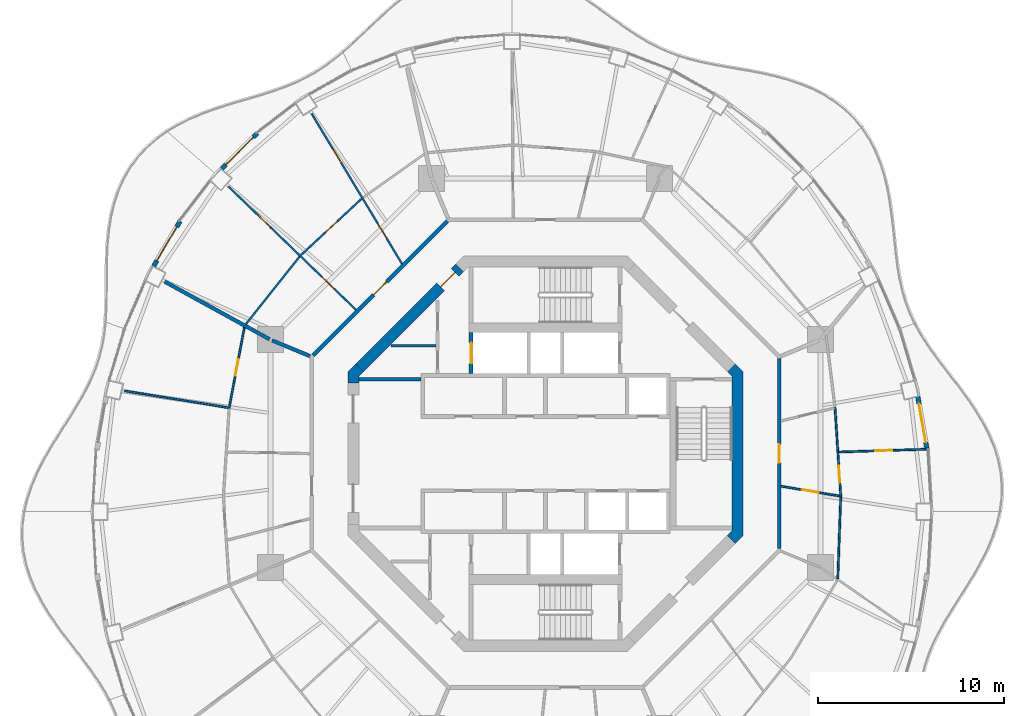
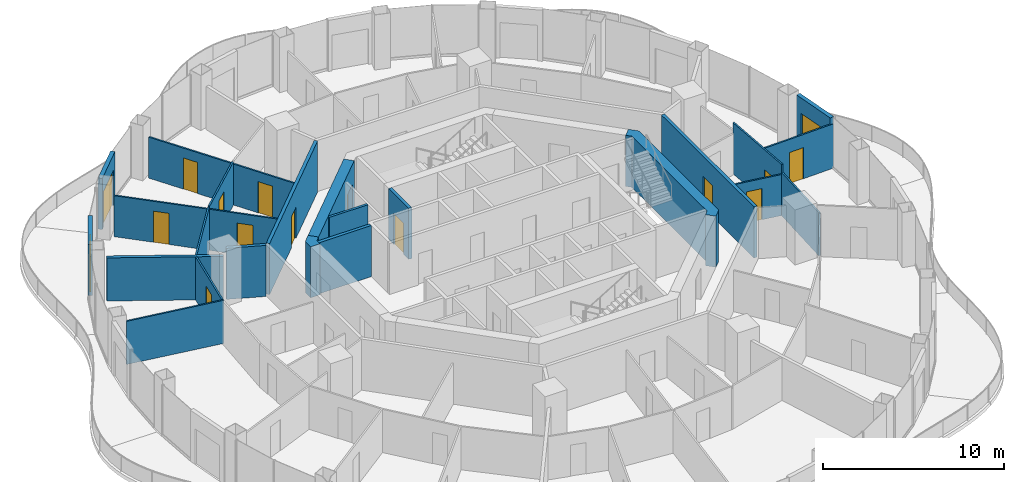
# One storey, part 12 of 17: 23 walls, 16 doors, 16 openings.
"""IFC4 building model written with IfcOpenShell, lengths in metres."""

from ifc_helpers import new_model, si_unit, direction, frame, frame_2d, origin, place, context, subcontext, project, spatial, polyline, rectangle, outline, extrude, material, layer, layer_set, type_object, element, fill, save


model = new_model("IFC4")

# Units and contexts
model_context = context("Model", 3, precision=1e-05, world=origin(), true_north=direction((0.0, 1.0)))
body_context = subcontext(model_context, "Body", "Model", "MODEL_VIEW")
ifc_project = project(units=[si_unit("LENGTHUNIT", "METRE"), si_unit("AREAUNIT", "SQUARE_METRE"), si_unit("VOLUMEUNIT", "CUBIC_METRE"), si_unit("PLANEANGLEUNIT", "RADIAN"), si_unit("MASSUNIT", "GRAM", prefix="KILO")], contexts=[model_context])

# Site, building, storey
site_placement = place(None, origin())
site = spatial("IfcSite", under=ifc_project, at=site_placement, CompositionType="ELEMENT")
building_placement = place(site_placement, origin())
building = spatial("IfcBuilding", under=site, at=building_placement, Name="Nagisa Residences", CompositionType="ELEMENT")
storey_placement = place(building_placement, frame((0.0, 0.0, 277.0)))
storey = spatial("IfcBuildingStorey", under=building, at=storey_placement, Name="L70", CompositionType="ELEMENT", Elevation=277.0)

# Walls
ifc_material_1 = material(Name="Gypsum board on steel studs", Category="steel")
ifc_layer_1 = layer(ifc_material_1, 0.199951171875)
ifc_layer_set_1 = layer_set([ifc_layer_1], Name="Apartment compartment wall EI60 200")
wall_type_1 = type_object("IfcWallType", Name="Apartment compartment wall EI60 200", PredefinedType="PARTITIONING", material=ifc_layer_set_1)
wall_1_placement = place(storey_placement, frame((-12.6572265625, 5.24267578125, 0.0), z_axis=(0.0, 0.0, 1.0), x_axis=(-0.923869415315, 0.382707856524, 0.0)))
element("IfcWall", 1, at=wall_1_placement, inside=storey, type_object=wall_type_1, Name="wall:L70:u04", PredefinedType="PARTITIONING", context=body_context, shape_type="SweptSolid", body=[
    extrude(rectangle(XDim=2.2001953125, YDim=0.199951171875, at=frame_2d((1.10009765625, 0.0))), origin(), (0.0, 0.0, 1.0), 3.43994140625),
])
wall_2_placement = place(storey_placement, frame((-14.825927734375, 6.14697265625, 0.0), z_axis=(0.0, 0.0, 1.0), x_axis=(-0.876484755865, 0.481429613481, 0.0)))
element("IfcWall", 2, at=wall_2_placement, inside=storey, type_object=wall_type_1, Name="wall:L70:u05", PredefinedType="PARTITIONING", context=body_context, shape_type="SweptSolid", body=[
    extrude(rectangle(XDim=6.43896484375, YDim=0.199951171875, at=frame_2d((3.219482421875, 0.0))), origin(), (0.0, 0.0, 1.0), 2.905029296875),
])

# Wall, opening, door
ifc_material_2 = material(Name="Gypsum board on steel studs", Category="steel")
ifc_layer_2 = layer(ifc_material_2, 0.199951171875)
ifc_layer_set_2 = layer_set([ifc_layer_2], Name="Apartment entry wall EI60 200")
wall_type_2 = type_object("IfcWallType", Name="Apartment entry wall EI60 200", PredefinedType="PARTITIONING", material=ifc_layer_set_2)
wall_3_placement = place(storey_placement, frame((12.564697265625, -5.1044921875, 0.0), z_axis=(0.0, 0.0, 1.0), x_axis=(0.0, 1.0, 0.0)))
wall_3 = element("IfcWall", 3, at=wall_3_placement, inside=storey, type_object=wall_type_2, Name="wall:L70:u10", PredefinedType="PARTITIONING", context=body_context, shape_type="SweptSolid", body=[
    extrude(rectangle(XDim=10.208984375, YDim=0.199951171875, at=frame_2d((5.1044921875, 0.0))), origin(), (0.0, 0.0, 1.0), 3.43994140625),
])
opening_1_placement = place(wall_3_placement, frame((4.6044921875, 0.0, 0.0)))
opening_1 = element("IfcOpeningElement", 4, at=opening_1_placement, cuts=wall_3, Name="Opening L70-U31", PredefinedType="OPENING", context=body_context, shape_type="SweptSolid", body=[
    extrude(rectangle(XDim=1.0, YDim=2.10009765625, at=frame_2d((0.5, 1.050048828125))), frame((0.0, 0.10986328125, 0.0), z_axis=(0.0, -1.0, 0.0), x_axis=(1.0, 0.0, 0.0)), (0.0, 0.0, 1.0), 0.219970703125),
])
ifc_material_3 = material(Name="Timber fire door set", Category="wood")
door_type_1 = type_object("IfcDoorType", Name="Apartment entry door FD30S 1000x2100", OperationType="NOTDEFINED", PredefinedType="DOOR", material=ifc_material_3)
door_1_placement = place(opening_1_placement, frame((1.0, 0.0, 0.0), x_axis=(-1.0, 0.0, 0.0)))
door_1 = element("IfcDoor", 5, at=door_1_placement, inside=storey, type_object=door_type_1, Name="Entry door, Apartment 70E", OperationType="SINGLE_SWING_RIGHT", OverallHeight=2.10009765625, OverallWidth=1.0, PredefinedType="DOOR", context=body_context, shape_type="SweptSolid", body=[
    extrude(rectangle(XDim=1.0, YDim=2.10009765625, at=frame_2d((0.5, 1.050048828125))), frame((0.0, 0.02490234375, 0.0), z_axis=(0.0, -1.0, 0.0), x_axis=(1.0, 0.0, 0.0)), (0.0, 0.0, 1.0), 0.050048828125),
])
fill(opening_1, door_1)

wall_4_placement = place(storey_placement, frame((-5.275146484375, 12.494140625, 0.0), z_axis=(0.0, 0.0, 1.0), x_axis=(-0.707106781187, -0.707106781187, 0.0)))
wall_4 = element("IfcWall", 6, at=wall_4_placement, inside=storey, type_object=wall_type_2, Name="wall:L70:u13", PredefinedType="PARTITIONING", context=body_context, shape_type="SweptSolid", body=[
    extrude(rectangle(XDim=10.209228515625, YDim=0.199951171875, at=frame_2d((5.1044921875, 0.0))), origin(), (0.0, 0.0, 1.0), 3.43994140625),
])
opening_2_placement = place(wall_4_placement, frame((4.6044921875, 0.0, 0.0)))
opening_2 = element("IfcOpeningElement", 7, at=opening_2_placement, cuts=wall_4, Name="Opening L70-U09", PredefinedType="OPENING", context=body_context, shape_type="SweptSolid", body=[
    extrude(rectangle(XDim=1.0, YDim=2.10009765625, at=frame_2d((0.5, 1.050048828125))), frame((0.0, 0.10986328125, 0.0), z_axis=(0.0, -1.0, 0.0), x_axis=(1.0, 0.0, 0.0)), (0.0, 0.0, 1.0), 0.219970703125),
])
door_2_placement = place(opening_2_placement, frame((1.0, 0.0, 0.0), x_axis=(-1.0, 0.0, 0.0)))
door_2 = element("IfcDoor", 8, at=door_2_placement, inside=storey, type_object=door_type_1, Name="Entry door, Apartment 70B", OperationType="SINGLE_SWING_RIGHT", OverallHeight=2.10009765625, OverallWidth=1.0, PredefinedType="DOOR", context=body_context, shape_type="SweptSolid", body=[
    extrude(rectangle(XDim=1.0, YDim=2.10009765625, at=frame_2d((0.5, 1.050048828125))), frame((0.0, 0.02490234375, 0.0), z_axis=(0.0, -1.0, 0.0), x_axis=(1.0, 0.0, 0.0)), (0.0, 0.0, 1.0), 0.050048828125),
])
fill(opening_2, door_2)

ifc_material_4 = material(Name="Gypsum board on steel studs", Category="steel")
ifc_layer_3 = layer(ifc_material_4, 0.10009765625)
ifc_layer_set_3 = layer_set([ifc_layer_3], Name="Apartment partition 100")
wall_type_3 = type_object("IfcWallType", Name="Apartment partition 100", PredefinedType="PARTITIONING", material=ifc_layer_set_3)
wall_5_placement = place(storey_placement, frame((12.663330078125, -1.75146484375, 0.0), z_axis=(0.0, 0.0, 1.0), x_axis=(0.98626156497, -0.165191178529, 0.0)))
wall_5 = element("IfcWall", 9, at=wall_5_placement, inside=storey, type_object=wall_type_3, Name="wall:L70:u18", PredefinedType="PARTITIONING", context=body_context, shape_type="SweptSolid", body=[
    extrude(rectangle(XDim=3.1982421875, YDim=0.10009765625, at=frame_2d((1.59912109375, 0.0))), origin(), (0.0, 0.0, 1.0), 2.761962890625),
])
opening_3_placement = place(wall_5_placement, frame((1.149169921875, 0.0, 0.0)))
opening_3 = element("IfcOpeningElement", 10, at=opening_3_placement, cuts=wall_5, Name="Opening L70-U32", PredefinedType="OPENING", context=body_context, shape_type="SweptSolid", body=[
    extrude(rectangle(XDim=0.89990234375, YDim=2.10009765625, at=frame_2d((0.449951171875, 1.050048828125))), frame((0.0, 0.06005859375, 0.0), z_axis=(0.0, -1.0, 0.0), x_axis=(1.0, 0.0, 0.0)), (0.0, 0.0, 1.0), 0.1201171875),
])
ifc_material_5 = material(Name="Timber door set", Category="wood")
door_type_2 = type_object("IfcDoorType", Name="Apartment door 900x2100", OperationType="NOTDEFINED", PredefinedType="DOOR", material=ifc_material_5)
door_3_placement = place(opening_3_placement, frame((0.89990234375, 0.0, 0.0), x_axis=(-1.0, 0.0, 0.0)))
door_3 = element("IfcDoor", 11, at=door_3_placement, inside=storey, type_object=door_type_2, Name="Door to family bathroom, Apartment 70E", OperationType="SINGLE_SWING_LEFT", OverallHeight=2.10009765625, OverallWidth=0.89990234375, PredefinedType="DOOR", context=body_context, shape_type="SweptSolid", body=[
    extrude(rectangle(XDim=0.89990234375, YDim=2.10009765625, at=frame_2d((0.449951171875, 1.050048828125))), frame((0.0, 0.02490234375, 0.0), z_axis=(0.0, -1.0, 0.0), x_axis=(1.0, 0.0, 0.0)), (0.0, 0.0, 1.0), 0.050048828125),
])
fill(opening_3, door_3)

wall_6_placement = place(storey_placement, frame((15.8701171875, -2.337890625, 0.0), z_axis=(0.0, 0.0, 1.0), x_axis=(-0.064797294757, 0.997898447034, 0.0)))
wall_6 = element("IfcWall", 12, at=wall_6_placement, inside=storey, type_object=wall_type_3, Name="wall:L70:u19", PredefinedType="PARTITIONING", context=body_context, shape_type="SweptSolid", body=[
    extrude(rectangle(XDim=4.856689453125, YDim=0.10009765625, at=frame_2d((2.42822265625, 0.0))), origin(), (0.0, 0.0, 1.0), 3.43994140625),
])
opening_4_placement = place(wall_6_placement, frame((0.789306640625, 0.0, 0.0)))
opening_4 = element("IfcOpeningElement", 13, at=opening_4_placement, cuts=wall_6, Name="Opening L70-U34", PredefinedType="OPENING", context=body_context, shape_type="SweptSolid", body=[
    extrude(rectangle(XDim=0.89990234375, YDim=2.10009765625, at=frame_2d((0.449951171875, 1.050048828125))), frame((0.0, 0.06005859375, 0.0), z_axis=(0.0, -1.0, 0.0), x_axis=(1.0, 0.0, 0.0)), (0.0, 0.0, 1.0), 0.1201171875),
])
door_4_placement = place(opening_4_placement, frame((0.89990234375, 0.0, 0.0), x_axis=(-1.0, 0.0, 0.0)))
door_4 = element("IfcDoor", 14, at=door_4_placement, inside=storey, type_object=door_type_2, Name="Door to kitchen, Apartment 70E", OperationType="SINGLE_SWING_LEFT", OverallHeight=2.10009765625, OverallWidth=0.89990234375, PredefinedType="DOOR", context=body_context, shape_type="SweptSolid", body=[
    extrude(rectangle(XDim=0.89990234375, YDim=2.10009765625, at=frame_2d((0.449951171875, 1.050048828125))), frame((0.0, 0.02490234375, 0.0), z_axis=(0.0, -1.0, 0.0), x_axis=(1.0, 0.0, 0.0)), (0.0, 0.0, 1.0), 0.050048828125),
])
fill(opening_4, door_4)

# Wall
wall_7_placement = place(storey_placement, frame((15.864990234375, -2.337890625, 0.0), z_axis=(0.0, 0.0, 1.0), x_axis=(-0.035902310383, -0.999355304238, 0.0)))
element("IfcWall", 15, at=wall_7_placement, inside=storey, type_object=wall_type_3, Name="wall:L70:u20", PredefinedType="PARTITIONING", context=body_context, shape_type="SweptSolid", body=[
    extrude(rectangle(XDim=4.37939453125, YDim=0.10009765625, at=frame_2d((2.189697265625, 0.0))), origin(), (0.0, 0.0, 1.0), 2.905029296875),
])

# Wall, opening, door
wall_8_placement = place(storey_placement, frame((15.7626953125, 0.0869140625, 0.0), z_axis=(0.0, 0.0, 1.0), x_axis=(0.999492034598, 0.03186962151, 0.0)))
wall_8 = element("IfcWall", 16, at=wall_8_placement, inside=storey, type_object=wall_type_3, Name="wall:L70:u21", PredefinedType="PARTITIONING", context=body_context, shape_type="SweptSolid", body=[
    extrude(rectangle(XDim=4.826171875, YDim=0.10009765625, at=frame_2d((2.4130859375, 0.0))), origin(), (0.0, 0.0, 1.0), 2.98291015625),
])
opening_5_placement = place(wall_8_placement, frame((1.963134765625, 0.0, 0.0)))
opening_5 = element("IfcOpeningElement", 17, at=opening_5_placement, cuts=wall_8, Name="Opening L70-U35", PredefinedType="OPENING", context=body_context, shape_type="SweptSolid", body=[
    extrude(rectangle(XDim=0.89990234375, YDim=2.10009765625, at=frame_2d((0.449951171875, 1.050048828125))), frame((0.0, 0.06005859375, 0.0), z_axis=(0.0, -1.0, 0.0), x_axis=(1.0, 0.0, 0.0)), (0.0, 0.0, 1.0), 0.1201171875),
])
door_5_placement = place(opening_5_placement, origin())
door_5 = element("IfcDoor", 18, at=door_5_placement, inside=storey, type_object=door_type_2, Name="Door to bedroom, Apartment 70E", OperationType="SINGLE_SWING_LEFT", OverallHeight=2.10009765625, OverallWidth=0.89990234375, PredefinedType="DOOR", context=body_context, shape_type="SweptSolid", body=[
    extrude(rectangle(XDim=0.89990234375, YDim=2.10009765625, at=frame_2d((0.449951171875, 1.050048828125))), frame((0.0, 0.02490234375, 0.0), z_axis=(0.0, -1.0, 0.0), x_axis=(1.0, 0.0, 0.0)), (0.0, 0.0, 1.0), 0.050048828125),
])
fill(opening_5, door_5)

# Wall, openings, doors
wall_9_placement = place(storey_placement, frame((-7.70947265625, 10.197021484375, 0.0), z_axis=(0.0, 0.0, 1.0), x_axis=(-0.515516160663, 0.856879856278, 0.0)))
wall_9 = element("IfcWall", 19, at=wall_9_placement, inside=storey, type_object=wall_type_3, Name="wall:L70:u35", PredefinedType="PARTITIONING", context=body_context, shape_type="SweptSolid", body=[
    extrude(rectangle(XDim=9.42626953125, YDim=0.10009765625, at=frame_2d((4.713134765625, 0.0))), origin(), (0.0, 0.0, 1.0), 2.761962890625),
])
opening_6_placement = place(wall_9_placement, frame((1.615234375, 0.0, 0.0)))
opening_6 = element("IfcOpeningElement", 20, at=opening_6_placement, cuts=wall_9, Name="Opening L70-U10", PredefinedType="OPENING", context=body_context, shape_type="SweptSolid", body=[
    extrude(rectangle(XDim=0.89990234375, YDim=2.10009765625, at=frame_2d((0.449951171875, 1.050048828125))), frame((0.0, 0.06005859375, 0.0), z_axis=(0.0, -1.0, 0.0), x_axis=(1.0, 0.0, 0.0)), (0.0, 0.0, 1.0), 0.1201171875),
])
opening_7_placement = place(wall_9_placement, frame((6.328369140625, 0.0, 0.0)))
opening_7 = element("IfcOpeningElement", 21, at=opening_7_placement, cuts=wall_9, Name="Opening L70-U14", PredefinedType="OPENING", context=body_context, shape_type="SweptSolid", body=[
    extrude(rectangle(XDim=0.89990234375, YDim=2.10009765625, at=frame_2d((0.449951171875, 1.050048828125))), frame((0.0, 0.06005859375, 0.0), z_axis=(0.0, -1.0, 0.0), x_axis=(1.0, 0.0, 0.0)), (0.0, 0.0, 1.0), 0.1201171875),
])
door_6_placement = place(opening_6_placement, frame((0.89990234375, 0.0, 0.0), x_axis=(-1.0, 0.0, 0.0)))
door_6 = element("IfcDoor", 22, at=door_6_placement, inside=storey, type_object=door_type_2, Name="Door to family bathroom, Apartment 70B", OperationType="SINGLE_SWING_LEFT", OverallHeight=2.10009765625, OverallWidth=0.89990234375, PredefinedType="DOOR", context=body_context, shape_type="SweptSolid", body=[
    extrude(rectangle(XDim=0.89990234375, YDim=2.10009765625, at=frame_2d((0.449951171875, 1.050048828125))), frame((0.0, 0.02490234375, 0.0), z_axis=(0.0, -1.0, 0.0), x_axis=(1.0, 0.0, 0.0)), (0.0, 0.0, 1.0), 0.050048828125),
])
fill(opening_6, door_6)
door_7_placement = place(opening_7_placement, frame((0.89990234375, 0.0, 0.0), x_axis=(-1.0, 0.0, 0.0)))
door_7 = element("IfcDoor", 23, at=door_7_placement, inside=storey, type_object=door_type_2, Name="Door to kitchen, Apartment 70B", OperationType="SINGLE_SWING_LEFT", OverallHeight=2.10009765625, OverallWidth=0.89990234375, PredefinedType="DOOR", context=body_context, shape_type="SweptSolid", body=[
    extrude(rectangle(XDim=0.89990234375, YDim=2.10009765625, at=frame_2d((0.449951171875, 1.050048828125))), frame((0.0, 0.02490234375, 0.0), z_axis=(0.0, -1.0, 0.0), x_axis=(1.0, 0.0, 0.0)), (0.0, 0.0, 1.0), 0.050048828125),
])
fill(opening_7, door_7)

# Wall, opening, door
wall_10_placement = place(storey_placement, frame((-9.87548828125, 13.702392578125, 0.0), z_axis=(0.0, 0.0, 1.0), x_axis=(-0.732618266441, -0.680639754699, 0.0)))
wall_10 = element("IfcWall", 24, at=wall_10_placement, inside=storey, type_object=wall_type_3, Name="wall:L70:u36", PredefinedType="PARTITIONING", context=body_context, shape_type="SweptSolid", body=[
    extrude(rectangle(XDim=4.466796875, YDim=0.10009765625, at=frame_2d((2.2333984375, 0.0))), origin(), (0.0, 0.0, 1.0), 2.905029296875),
])
opening_8_placement = place(wall_10_placement, frame((1.783447265625, 0.0, 0.0)))
opening_8 = element("IfcOpeningElement", 25, at=opening_8_placement, cuts=wall_10, Name="Opening L70-U12", PredefinedType="OPENING", context=body_context, shape_type="SweptSolid", body=[
    extrude(rectangle(XDim=0.89990234375, YDim=2.10009765625, at=frame_2d((0.449951171875, 1.050048828125))), frame((0.0, 0.06005859375, 0.0), z_axis=(0.0, -1.0, 0.0), x_axis=(1.0, 0.0, 0.0)), (0.0, 0.0, 1.0), 0.1201171875),
])
door_8_placement = place(opening_8_placement, frame((0.89990234375, 0.0, 0.0), x_axis=(-1.0, 0.0, 0.0)))
door_8 = element("IfcDoor", 26, at=door_8_placement, inside=storey, type_object=door_type_2, Name="Door to dining room, Apartment 70B", OperationType="SINGLE_SWING_LEFT", OverallHeight=2.10009765625, OverallWidth=0.89990234375, PredefinedType="DOOR", context=body_context, shape_type="SweptSolid", body=[
    extrude(rectangle(XDim=0.89990234375, YDim=2.10009765625, at=frame_2d((0.449951171875, 1.050048828125))), frame((0.0, 0.02490234375, 0.0), z_axis=(0.0, -1.0, 0.0), x_axis=(1.0, 0.0, 0.0)), (0.0, 0.0, 1.0), 0.050048828125),
])
fill(opening_8, door_8)

# Wall, openings, doors
wall_11_placement = place(storey_placement, frame((-10.183349609375, 7.727294921875, 0.0), z_axis=(0.0, 0.0, 1.0), x_axis=(-0.719063433856, 0.694944442449, 0.0)))
wall_11 = element("IfcWall", 27, at=wall_11_placement, inside=storey, type_object=wall_type_3, Name="wall:L70:u37", PredefinedType="PARTITIONING", context=body_context, shape_type="SweptSolid", body=[
    extrude(rectangle(XDim=9.53515625, YDim=0.10009765625, at=frame_2d((4.767578125, 0.0))), origin(), (0.0, 0.0, 1.0), 2.761962890625),
])
opening_9_placement = place(wall_11_placement, frame((1.636962890625, 0.0, 0.0)))
opening_9 = element("IfcOpeningElement", 28, at=opening_9_placement, cuts=wall_11, Name="Opening L70-U11", PredefinedType="OPENING", context=body_context, shape_type="SweptSolid", body=[
    extrude(rectangle(XDim=0.89990234375, YDim=2.10009765625, at=frame_2d((0.449951171875, 1.050048828125))), frame((0.0, 0.06005859375, 0.0), z_axis=(0.0, -1.0, 0.0), x_axis=(1.0, 0.0, 0.0)), (0.0, 0.0, 1.0), 0.1201171875),
])
opening_10_placement = place(wall_11_placement, frame((6.404541015625, 0.0, 0.0)))
opening_10 = element("IfcOpeningElement", 29, at=opening_10_placement, cuts=wall_11, Name="Opening L70-U13", PredefinedType="OPENING", context=body_context, shape_type="SweptSolid", body=[
    extrude(rectangle(XDim=0.89990234375, YDim=2.10009765625, at=frame_2d((0.449951171875, 1.050048828125))), frame((0.0, 0.06005859375, 0.0), z_axis=(0.0, -1.0, 0.0), x_axis=(1.0, 0.0, 0.0)), (0.0, 0.0, 1.0), 0.1201171875),
])
door_9_placement = place(opening_9_placement, origin())
door_9 = element("IfcDoor", 30, at=door_9_placement, inside=storey, type_object=door_type_2, Name="Door to store, Apartment 70B", OperationType="SINGLE_SWING_LEFT", OverallHeight=2.10009765625, OverallWidth=0.89990234375, PredefinedType="DOOR", context=body_context, shape_type="SweptSolid", body=[
    extrude(rectangle(XDim=0.89990234375, YDim=2.10009765625, at=frame_2d((0.449951171875, 1.050048828125))), frame((0.0, 0.02490234375, 0.0), z_axis=(0.0, -1.0, 0.0), x_axis=(1.0, 0.0, 0.0)), (0.0, 0.0, 1.0), 0.050048828125),
])
fill(opening_9, door_9)
door_10_placement = place(opening_10_placement, origin())
door_10 = element("IfcDoor", 31, at=door_10_placement, inside=storey, type_object=door_type_2, Name="Door to bedroom, Apartment 70B", OperationType="SINGLE_SWING_LEFT", OverallHeight=2.10009765625, OverallWidth=0.89990234375, PredefinedType="DOOR", context=body_context, shape_type="SweptSolid", body=[
    extrude(rectangle(XDim=0.89990234375, YDim=2.10009765625, at=frame_2d((0.449951171875, 1.050048828125))), frame((0.0, 0.02490234375, 0.0), z_axis=(0.0, -1.0, 0.0), x_axis=(1.0, 0.0, 0.0)), (0.0, 0.0, 1.0), 0.050048828125),
])
fill(opening_10, door_10)

# Wall
wall_12_placement = place(storey_placement, frame((-13.2158203125, 10.5888671875, 0.0), z_axis=(0.0, 0.0, 1.0), x_axis=(-0.622251572882, -0.782817335045, 0.0)))
element("IfcWall", 32, at=wall_12_placement, inside=storey, type_object=wall_type_3, Name="wall:L70:u38", PredefinedType="PARTITIONING", context=body_context, shape_type="SweptSolid", body=[
    extrude(rectangle(XDim=4.635986328125, YDim=0.10009765625, at=frame_2d((2.31787109375, 0.0))), origin(), (0.0, 0.0, 1.0), 2.905029296875),
])

# Wall, opening, door
wall_13_placement = place(storey_placement, frame((-16.181396484375, 6.783203125, 0.0), z_axis=(0.0, 0.0, 1.0), x_axis=(-0.185670583745, -0.982612046706, 0.0)))
wall_13 = element("IfcWall", 33, at=wall_13_placement, inside=storey, type_object=wall_type_3, Name="wall:L70:u39", PredefinedType="PARTITIONING", context=body_context, shape_type="SweptSolid", body=[
    extrude(rectangle(XDim=4.35107421875, YDim=0.10009765625, at=frame_2d((2.175537109375, 0.0))), origin(), (0.0, 0.0, 1.0), 2.905029296875),
])
opening_11_placement = place(wall_13_placement, frame((1.7255859375, 0.0, 0.0)))
opening_11 = element("IfcOpeningElement", 34, at=opening_11_placement, cuts=wall_13, Name="Opening L70-U18", PredefinedType="OPENING", context=body_context, shape_type="SweptSolid", body=[
    extrude(rectangle(XDim=0.89990234375, YDim=2.10009765625, at=frame_2d((0.449951171875, 1.050048828125))), frame((0.0, 0.06005859375, 0.0), z_axis=(0.0, -1.0, 0.0), x_axis=(1.0, 0.0, 0.0)), (0.0, 0.0, 1.0), 0.1201171875),
])
door_11_placement = place(opening_11_placement, frame((0.89990234375, 0.0, 0.0), x_axis=(-1.0, 0.0, 0.0)))
door_11 = element("IfcDoor", 35, at=door_11_placement, inside=storey, type_object=door_type_2, Name="Door to bedroom, Apartment 70C", OperationType="SINGLE_SWING_LEFT", OverallHeight=2.10009765625, OverallWidth=0.89990234375, PredefinedType="DOOR", context=body_context, shape_type="SweptSolid", body=[
    extrude(rectangle(XDim=0.89990234375, YDim=2.10009765625, at=frame_2d((0.449951171875, 1.050048828125))), frame((0.0, 0.02490234375, 0.0), z_axis=(0.0, -1.0, 0.0), x_axis=(1.0, 0.0, 0.0)), (0.0, 0.0, 1.0), 0.050048828125),
])
fill(opening_11, door_11)

# Wall
wall_14_placement = place(storey_placement, frame((-16.94921875, 2.45068359375, 0.0), z_axis=(0.0, 0.0, 1.0), x_axis=(-0.986937570833, 0.161103169673, 0.0)))
element("IfcWall", 36, at=wall_14_placement, inside=storey, type_object=wall_type_3, Name="wall:L70:u40", PredefinedType="PARTITIONING", context=body_context, shape_type="SweptSolid", body=[
    extrude(rectangle(XDim=5.743408203125, YDim=0.10009765625, at=frame_2d((2.87158203125, 0.0))), origin(), (0.0, 0.0, 1.0), 2.905029296875),
])

# Wall, opening, door
ifc_material_6 = material(Name="Precast concrete C40/50", Category="concrete")
ifc_layer_4 = layer(ifc_material_6, 0.25)
ifc_layer_set_4 = layer_set([ifc_layer_4], Name="BALCONY DOOR WALL 250")
wall_type_4 = type_object("IfcWallType", Name="BALCONY DOOR WALL 250", PredefinedType="SOLIDWALL", material=ifc_layer_set_4)
wall_15_placement = place(storey_placement, frame((20.003662109375, 3.07958984375, 0.0), z_axis=(0.0, 0.0, 1.0), x_axis=(0.172182411767, -0.985065082661, 0.0)))
wall_15 = element("IfcWall", 37, at=wall_15_placement, inside=storey, type_object=wall_type_4, Name="wall:L70:bay01", PredefinedType="SOLIDWALL", context=body_context, shape_type="SweptSolid", body=[
    extrude(rectangle(XDim=2.902587890625, YDim=0.25, at=frame_2d((1.451171875, 0.0))), origin(), (0.0, 0.0, 1.0), 3.43994140625),
])
opening_12_placement = place(wall_15_placement, frame((0.401123046875, 0.0, 0.0)))
opening_12 = element("IfcOpeningElement", 38, at=opening_12_placement, cuts=wall_15, Name="Opening BD-L70-01", PredefinedType="OPENING", context=body_context, shape_type="SweptSolid", body=[
    extrude(rectangle(XDim=2.10009765625, YDim=2.39990234375, at=frame_2d((1.050048828125, 1.199951171875))), frame((0.0, 0.135009765625, 0.0), z_axis=(0.0, -1.0, 0.0), x_axis=(1.0, 0.0, 0.0)), (0.0, 0.0, 1.0), 0.27001953125),
])
ifc_material_7 = material(Name="Aluminium and clear glass", Category="aluminium")
door_type_3 = type_object("IfcDoorType", Name="BALCONY SLIDING DOOR 2100x2400", OperationType="SLIDING_TO_LEFT", PredefinedType="DOOR", material=ifc_material_7)
door_12_placement = place(opening_12_placement, origin())
door_12 = element("IfcDoor", 39, at=door_12_placement, inside=storey, type_object=door_type_3, Name="door:L70:bay01", OperationType="SLIDING_TO_LEFT", OverallHeight=2.39990234375, OverallWidth=2.10009765625, PredefinedType="DOOR", context=body_context, shape_type="SweptSolid", body=[
    extrude(rectangle(XDim=2.10009765625, YDim=2.39990234375, at=frame_2d((1.050048828125, 1.199951171875))), frame((0.0, 0.02490234375, 0.0), z_axis=(0.0, -1.0, 0.0), x_axis=(1.0, 0.0, 0.0)), (0.0, 0.0, 1.0), 0.050048828125),
])
fill(opening_12, door_12)

wall_16_placement = place(storey_placement, frame((-17.387939453125, 15.312744140625, 0.0), z_axis=(0.0, 0.0, 1.0), x_axis=(0.707831739508, 0.706381078841, 0.0)))
wall_16 = element("IfcWall", 40, at=wall_16_placement, inside=storey, type_object=wall_type_4, Name="wall:L70:bay17", PredefinedType="SOLIDWALL", context=body_context, shape_type="SweptSolid", body=[
    extrude(rectangle(XDim=2.692626953125, YDim=0.25, at=frame_2d((1.34619140625, 0.0))), origin(), (0.0, 0.0, 1.0), 3.43994140625),
])
opening_13_placement = place(wall_16_placement, frame((0.29638671875, 0.0, 0.0)))
opening_13 = element("IfcOpeningElement", 41, at=opening_13_placement, cuts=wall_16, Name="Opening BD-L70-06", PredefinedType="OPENING", context=body_context, shape_type="SweptSolid", body=[
    extrude(rectangle(XDim=2.10009765625, YDim=2.39990234375, at=frame_2d((1.050048828125, 1.199951171875))), frame((0.0, 0.135009765625, 0.0), z_axis=(0.0, -1.0, 0.0), x_axis=(1.0, 0.0, 0.0)), (0.0, 0.0, 1.0), 0.27001953125),
])
door_13_placement = place(opening_13_placement, origin())
door_13 = element("IfcDoor", 42, at=door_13_placement, inside=storey, type_object=door_type_3, Name="door:L70:bay17", OperationType="SLIDING_TO_LEFT", OverallHeight=2.39990234375, OverallWidth=2.10009765625, PredefinedType="DOOR", context=body_context, shape_type="SweptSolid", body=[
    extrude(rectangle(XDim=2.10009765625, YDim=2.39990234375, at=frame_2d((1.050048828125, 1.199951171875))), frame((0.0, 0.02490234375, 0.0), z_axis=(0.0, -1.0, 0.0), x_axis=(1.0, 0.0, 0.0)), (0.0, 0.0, 1.0), 0.050048828125),
])
fill(opening_13, door_13)

wall_17_placement = place(storey_placement, frame((-21.053955078125, 10.0771484375, 0.0), z_axis=(0.0, 0.0, 1.0), x_axis=(0.506371364425, 0.862315511452, 0.0)))
wall_17 = element("IfcWall", 43, at=wall_17_placement, inside=storey, type_object=wall_type_4, Name="wall:L70:bay19", PredefinedType="SOLIDWALL", context=body_context, shape_type="SweptSolid", body=[
    extrude(rectangle(XDim=2.79638671875, YDim=0.25, at=frame_2d((1.398193359375, 0.0))), origin(), (0.0, 0.0, 1.0), 3.43994140625),
])
opening_14_placement = place(wall_17_placement, frame((0.34814453125, 0.0, 0.0)))
opening_14 = element("IfcOpeningElement", 44, at=opening_14_placement, cuts=wall_17, Name="Opening BD-L70-07", PredefinedType="OPENING", context=body_context, shape_type="SweptSolid", body=[
    extrude(rectangle(XDim=2.10009765625, YDim=2.39990234375, at=frame_2d((1.050048828125, 1.199951171875))), frame((0.0, 0.135009765625, 0.0), z_axis=(0.0, -1.0, 0.0), x_axis=(1.0, 0.0, 0.0)), (0.0, 0.0, 1.0), 0.27001953125),
])
door_14_placement = place(opening_14_placement, origin())
door_14 = element("IfcDoor", 45, at=door_14_placement, inside=storey, type_object=door_type_3, Name="door:L70:bay19", OperationType="SLIDING_TO_LEFT", OverallHeight=2.39990234375, OverallWidth=2.10009765625, PredefinedType="DOOR", context=body_context, shape_type="SweptSolid", body=[
    extrude(rectangle(XDim=2.10009765625, YDim=2.39990234375, at=frame_2d((1.050048828125, 1.199951171875))), frame((0.0, 0.02490234375, 0.0), z_axis=(0.0, -1.0, 0.0), x_axis=(1.0, 0.0, 0.0)), (0.0, 0.0, 1.0), 0.050048828125),
])
fill(opening_14, door_14)

# Walls
ifc_material_8 = material(Name="Gypsum board on steel studs", Category="steel")
ifc_layer_5 = layer(ifc_material_8, 0.14990234375)
ifc_layer_set_5 = layer_set([ifc_layer_5], Name="Core partition 150")
wall_type_5 = type_object("IfcWallType", Name="Core partition 150", PredefinedType="PARTITIONING", material=ifc_layer_set_5)
wall_18_placement = place(storey_placement, frame((-8.301025390625, 5.800048828125, 0.0), z_axis=(0.0, 0.0, 1.0), x_axis=(1.0, 0.0, 0.0)))
element("IfcWall", 46, at=wall_18_placement, inside=storey, type_object=wall_type_5, Name="wall:L70:NWq", PredefinedType="PARTITIONING", context=body_context, shape_type="SweptSolid", body=[
    extrude(rectangle(XDim=2.426025390625, YDim=0.14990234375, at=frame_2d((1.212890625, 0.0))), origin(), (0.0, 0.0, 1.0), 3.43994140625),
])
ifc_material_9 = material(Name="Gypsum board on steel studs", Category="steel")
ifc_layer_6 = layer(ifc_material_9, 0.199951171875)
ifc_layer_set_6 = layer_set([ifc_layer_6], Name="Core partition 200")
wall_type_6 = type_object("IfcWallType", Name="Core partition 200", PredefinedType="PARTITIONING", material=ifc_layer_set_6)
wall_19_placement = place(storey_placement, frame((-10.024658203125, 4.0, 0.0), z_axis=(0.0, 0.0, 1.0), x_axis=(1.0, 0.0, 0.0)))
element("IfcWall", 47, at=wall_19_placement, inside=storey, type_object=wall_type_6, Name="wall:L70:PNW", PredefinedType="PARTITIONING", context=body_context, shape_type="SweptSolid", body=[
    extrude(rectangle(XDim=3.32470703125, YDim=0.199951171875, at=frame_2d((1.662353515625, 0.0))), origin(), (0.0, 0.0, 1.0), 3.43994140625),
])

# Wall, opening, door
ifc_material_10 = material(Name="Concrete C60", Category="concrete")
ifc_layer_7 = layer(ifc_material_10, 0.60009765625)
ifc_layer_set_7 = layer_set([ifc_layer_7], Name="Core shear wall 600")
wall_type_7 = type_object("IfcWallType", Name="Core shear wall 600", PredefinedType="SHEAR", material=ifc_layer_set_7)
wall_20_placement = place(storey_placement, frame((-4.613037109375, 9.98828125, 0.0), z_axis=(0.0, 0.0, 1.0), x_axis=(-0.707106781187, -0.707106781187, 0.0)))
wall_20 = element("IfcWall", 48, at=wall_20_placement, inside=storey, type_object=wall_type_7, Name="wall:L70:core:flat3", PredefinedType="SHEAR", context=body_context, shape_type="SweptSolid", body=[
    extrude(rectangle(XDim=7.601806640625, YDim=0.60009765625, at=frame_2d((3.80078125, 0.0))), origin(), (0.0, 0.0, 1.0), 3.43994140625),
])
opening_15_placement = place(wall_20_placement, frame((0.350830078125, 0.0, 0.0)))
opening_15 = element("IfcOpeningElement", 49, at=opening_15_placement, cuts=wall_20, Name="Opening L70-C25", PredefinedType="OPENING", context=body_context, shape_type="SweptSolid", body=[
    extrude(rectangle(XDim=1.10009765625, YDim=2.10009765625, at=frame_2d((0.550048828125, 1.050048828125))), frame((0.0, 0.31005859375, 0.0), z_axis=(0.0, -1.0, 0.0), x_axis=(1.0, 0.0, 0.0)), (0.0, 0.0, 1.0), 0.6201171875),
])
ifc_material_11 = material(Name="Steel fire door", Category="steel")
door_type_4 = type_object("IfcDoorType", Name="Fire door EI60 1100x2100 single swing", OperationType="NOTDEFINED", PredefinedType="DOOR", material=ifc_material_11)
door_15_placement = place(opening_15_placement, origin())
door_15 = element("IfcDoor", 50, at=door_15_placement, inside=storey, type_object=door_type_4, Name="Service lobby door L70", OperationType="SINGLE_SWING_RIGHT", OverallHeight=2.10009765625, OverallWidth=1.10009765625, PredefinedType="DOOR", context=body_context, shape_type="SweptSolid", body=[
    extrude(rectangle(XDim=1.10009765625, YDim=2.10009765625, at=frame_2d((0.550048828125, 1.050048828125))), frame((0.0, 0.02490234375, 0.0), z_axis=(0.0, -1.0, 0.0), x_axis=(1.0, 0.0, 0.0)), (0.0, 0.0, 1.0), 0.050048828125),
])
fill(opening_15, door_15)

# Walls
wall_21_placement = place(storey_placement, origin())
element("IfcWall", 51, at=wall_21_placement, inside=storey, type_object=wall_type_7, Name="wall:L70:core:pier3", PredefinedType="SHEAR", context=body_context, shape_type="SweptSolid", body=[
    extrude(outline(polyline([(-10.200439453125, 4.8251953125), (-9.776123046875, 4.40087890625), (-10.024658203125, 4.15234375), (-10.024658203125, 3.80078125), (-10.62451171875, 3.80078125), (-10.62451171875, 4.40087890625), (-10.200439453125, 4.8251953125)])), origin(), (0.0, 0.0, 1.0), 3.43994140625),
])
wall_22_placement = place(storey_placement, origin())
element("IfcWall", 52, at=wall_22_placement, inside=storey, type_object=wall_type_7, Name="wall:L70:core:flat0", PredefinedType="SHEAR", context=body_context, shape_type="SweptSolid", body=[
    extrude(outline(polyline([(9.776123046875, -4.40087890625), (10.024658203125, -4.15234375), (10.024658203125, -3.801025390625), (10.024658203125, 4.15234375), (9.776123046875, 4.40087890625), (10.200439453125, 4.8251953125), (10.62451171875, 4.40087890625), (10.62451171875, -4.40087890625), (10.200439453125, -4.8251953125), (9.776123046875, -4.40087890625)])), origin(), (0.0, 0.0, 1.0), 3.43994140625),
])

# Wall, opening, door
ifc_material_12 = material(Name="Concrete C60", Category="concrete")
ifc_layer_8 = layer(ifc_material_12, 0.199951171875)
ifc_layer_set_8 = layer_set([ifc_layer_8], Name="Lift shaft wall 200")
wall_type_8 = type_object("IfcWallType", Name="Lift shaft wall 200", PredefinedType="SOLIDWALL", material=ifc_layer_set_8)
wall_23_placement = place(storey_placement, frame((-4.0, 4.300048828125, 0.0), z_axis=(0.0, 0.0, 1.0), x_axis=(0.0, 1.0, 0.0)))
wall_23 = element("IfcWall", 53, at=wall_23_placement, inside=storey, type_object=wall_type_8, Name="wall:L70:Nb4", PredefinedType="SOLIDWALL", context=body_context, shape_type="SweptSolid", body=[
    extrude(rectangle(XDim=2.199951171875, YDim=0.199951171875, at=frame_2d((1.10009765625, 0.0))), origin(), (0.0, 0.0, 1.0), 3.43994140625),
])
opening_16_placement = place(wall_23_placement, frame((0.550048828125, 0.0, 0.0)))
opening_16 = element("IfcOpeningElement", 54, at=opening_16_placement, cuts=wall_23, Name="Opening L70-C06", PredefinedType="OPENING", context=body_context, shape_type="SweptSolid", body=[
    extrude(rectangle(XDim=1.10009765625, YDim=2.10009765625, at=frame_2d((0.550048828125, 1.050048828125))), frame((0.0, 0.10986328125, 0.0), z_axis=(0.0, -1.0, 0.0), x_axis=(1.0, 0.0, 0.0)), (0.0, 0.0, 1.0), 0.219970703125),
])
ifc_material_13 = material(Name="Stainless steel", Category="steel")
door_type_5 = type_object("IfcDoorType", Name="Lift landing door 1100x2100", OperationType="DOUBLE_DOOR_SLIDING", PredefinedType="DOOR", material=ifc_material_13)
door_16_placement = place(opening_16_placement, origin())
door_16 = element("IfcDoor", 55, at=door_16_placement, inside=storey, type_object=door_type_5, Name="Landing door SV L70", OperationType="DOUBLE_DOOR_SLIDING", OverallHeight=2.10009765625, OverallWidth=1.10009765625, PredefinedType="DOOR", context=body_context, shape_type="SweptSolid", body=[
    extrude(rectangle(XDim=1.10009765625, YDim=2.10009765625, at=frame_2d((0.550048828125, 1.050048828125))), frame((0.0, 0.02490234375, 0.0), z_axis=(0.0, -1.0, 0.0), x_axis=(1.0, 0.0, 0.0)), (0.0, 0.0, 1.0), 0.050048828125),
])
fill(opening_16, door_16)

save(model, "model.ifc")
